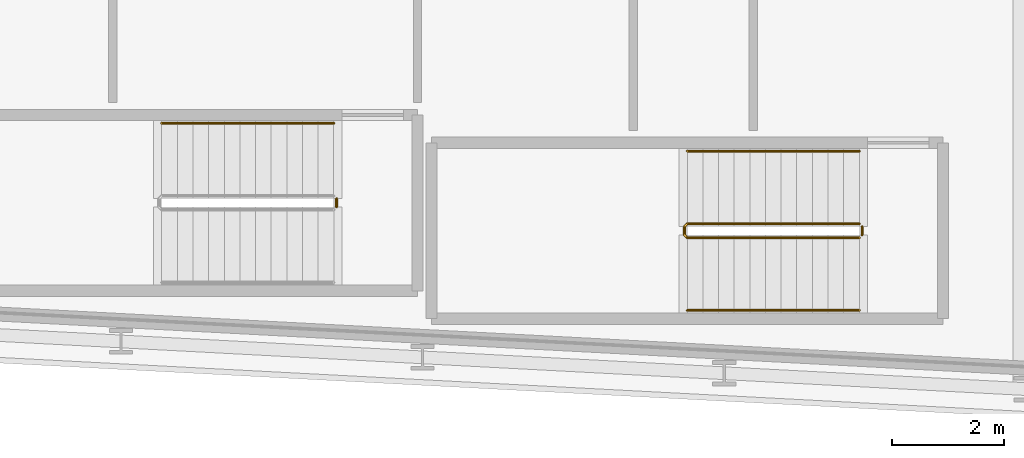
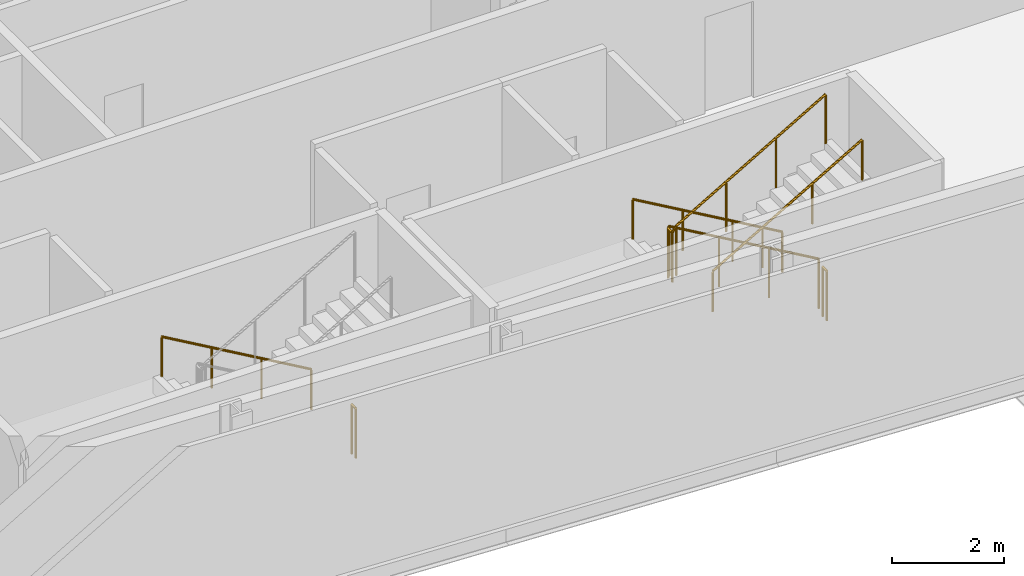
# One storey, part 24 of 28: 6 railings.
"""IFC4 building model written with IfcOpenShell, lengths in metres."""

from ifc_helpers import new_model, si_unit, direction, frame, origin, origin_2d, place, context, subcontext, project, spatial, circle, extrude, material, type_object, element, save


model = new_model("IFC4")

# Units and contexts
model_context = context("Model", 3, precision=1e-05, world=origin(), true_north=direction((0.0, 1.0)))
body_context = subcontext(model_context, "Body", "Model", "MODEL_VIEW")
ifc_project = project(units=[si_unit("LENGTHUNIT", "METRE"), si_unit("AREAUNIT", "SQUARE_METRE"), si_unit("VOLUMEUNIT", "CUBIC_METRE"), si_unit("PLANEANGLEUNIT", "RADIAN"), si_unit("MASSUNIT", "GRAM", prefix="KILO")], contexts=[model_context])

# Site, building, storey
site_placement = place(None, origin())
site = spatial("IfcSite", under=ifc_project, at=site_placement, CompositionType="ELEMENT")
building_placement = place(site_placement, origin())
building = spatial("IfcBuilding", under=site, at=building_placement, Name="Kheshtan School and Residences Tower", CompositionType="ELEMENT")
storey_placement = place(building_placement, frame((0.0, 0.0, 94.10009765625)))
storey = spatial("IfcBuildingStorey", under=building, at=storey_placement, Name="L21", CompositionType="ELEMENT", Elevation=94.10009765625)

# Railings
ifc_material_1 = material(Name="Stainless steel balustrade", Category="steel")
railing_type_1 = type_object("IfcRailingType", Name="Stair guard 1100", PredefinedType="GUARDRAIL", material=ifc_material_1)
railing_1_placement = place(storey_placement, frame((87.820068359375, 23.949951171875, 0.162353515625)))
element("IfcRailing", 1, at=railing_1_placement, inside=storey, type_object=railing_type_1, Name="L21 ST4 stair guard 1", PredefinedType="GUARDRAIL", context=body_context, shape_type="SweptSolid", body=[
    extrude(circle(Radius=0.02392578125, at=origin_2d()), frame((0.0, 0.0, 1.076171875), z_axis=(-0.864890721111, 0.0, 0.501960198159), x_axis=(0.0, -1.0, 0.0)), (0.0, 0.0, 1.0), 3.561279296875),
    extrude(circle(Radius=0.02392578125, at=origin_2d()), frame((-3.080078125, 0.0, 2.86376953125), z_axis=(-0.707106781187, -0.707106781187, 0.0), x_axis=(0.707106781187, -0.707106781187, 0.0)), (0.0, 0.0, 1.0), 0.07080078125),
    extrude(circle(Radius=0.02392578125, at=origin_2d()), frame((-3.130126953125, -0.050048828125, 2.86376953125), z_axis=(0.0, -1.0, 0.0), x_axis=(1.0, 0.0, 0.0)), (0.0, 0.0, 1.0), 0.14990234375),
    extrude(circle(Radius=0.02392578125, at=origin_2d()), frame((-3.130126953125, -0.199951171875, 2.86376953125), z_axis=(0.282583949758, -0.282583949758, 0.916674763849), x_axis=(0.707106781187, 0.707106781187, 0.0)), (0.0, 0.0, 1.0), 0.177001953125),
    extrude(circle(Radius=0.02392578125, at=origin_2d()), frame((-3.080078125, -0.25, 3.02587890625), z_axis=(0.864890721111, 0.0, 0.501960198159), x_axis=(0.0, 1.0, 0.0)), (0.0, 0.0, 1.0), 3.561279296875),
    extrude(circle(Radius=0.02099609375, at=origin_2d()), origin(), (0.0, 0.0, 1.0), 1.052001953125),
    extrude(circle(Radius=0.02099609375, at=origin_2d()), frame((-1.026611328125, 0.0, 0.595947265625)), (0.0, 0.0, 1.0), 1.052001953125),
    extrude(circle(Radius=0.02099609375, at=origin_2d()), frame((-2.053466796875, 0.0, 1.191650390625)), (0.0, 0.0, 1.0), 1.052001953125),
    extrude(circle(Radius=0.02099609375, at=origin_2d()), frame((-3.080078125, 0.0, 1.78759765625)), (0.0, 0.0, 1.0), 1.052001953125),
    extrude(circle(Radius=0.02099609375, at=origin_2d()), frame((-3.130126953125, -0.050048828125, 1.78759765625)), (0.0, 0.0, 1.0), 1.052001953125),
    extrude(circle(Radius=0.02099609375, at=origin_2d()), frame((-3.130126953125, -0.199951171875, 1.78759765625)), (0.0, 0.0, 1.0), 1.052001953125),
    extrude(circle(Radius=0.02099609375, at=origin_2d()), frame((-3.080078125, -0.25, 1.949951171875)), (0.0, 0.0, 1.0), 1.052001953125),
    extrude(circle(Radius=0.02099609375, at=origin_2d()), frame((-2.053466796875, -0.25, 2.5458984375)), (0.0, 0.0, 1.0), 1.052001953125),
    extrude(circle(Radius=0.02099609375, at=origin_2d()), frame((-1.026611328125, -0.25, 3.1416015625)), (0.0, 0.0, 1.0), 1.052001953125),
    extrude(circle(Radius=0.02099609375, at=origin_2d()), frame((0.0, -0.25, 3.737548828125)), (0.0, 0.0, 1.0), 1.052001953125),
])
for number, where, name in (
    (2, (87.8701171875, 23.89990234375, 0.0), "L21 ST4 stair guard 2"),
    (3, (78.4599609375, 24.39990234375, 0.0), "L21 ST5 stair guard 2"),
):
    element("IfcRailing", number, at=place(storey_placement, frame(where)), inside=storey, type_object=railing_type_1, Name=name, PredefinedType="GUARDRAIL", context=body_context, shape_type="SweptSolid", body=[
        extrude(circle(Radius=0.02392578125, at=origin_2d()), frame((0.0, 0.0, 1.076171875), z_axis=(0.0, -1.0, 0.0), x_axis=(1.0, 0.0, 0.0)), (0.0, 0.0, 1.0), 0.14990234375),
        extrude(circle(Radius=0.02099609375, at=origin_2d()), origin(), (0.0, 0.0, 1.0), 1.052001953125),
        extrude(circle(Radius=0.02099609375, at=origin_2d()), frame((0.0, -0.14990234375, 0.0)), (0.0, 0.0, 1.0), 1.052001953125),
    ])
ifc_material_2 = material(Name="Stainless steel handrail", Category="steel")
railing_type_2 = type_object("IfcRailingType", Name="Stair handrail 900", PredefinedType="HANDRAIL", material=ifc_material_2)
railing_2_placement = place(storey_placement, frame((87.820068359375, 25.25, 0.162353515625)))
element("IfcRailing", 4, at=railing_2_placement, inside=storey, type_object=railing_type_2, Name="L21 ST4 stair handrail 1", PredefinedType="HANDRAIL", context=body_context, shape_type="SweptSolid", body=[
    extrude(circle(Radius=0.02392578125, at=origin_2d()), frame((0.0, 0.0, 0.8759765625), z_axis=(-0.864890721111, 0.0, 0.501960198159), x_axis=(0.0, -1.0, 0.0)), (0.0, 0.0, 1.0), 3.561279296875),
    extrude(circle(Radius=0.02099609375, at=origin_2d()), origin(), (0.0, 0.0, 1.0), 0.851806640625),
    extrude(circle(Radius=0.02099609375, at=origin_2d()), frame((-1.026611328125, 0.0, 0.595947265625)), (0.0, 0.0, 1.0), 0.851806640625),
    extrude(circle(Radius=0.02099609375, at=origin_2d()), frame((-2.053466796875, 0.0, 1.191650390625)), (0.0, 0.0, 1.0), 0.851806640625),
    extrude(circle(Radius=0.02099609375, at=origin_2d()), frame((-3.080078125, 0.0, 1.78759765625)), (0.0, 0.0, 1.0), 0.851806640625),
])
railing_3_placement = place(storey_placement, frame((84.739990234375, 22.39990234375, 2.1123046875)))
element("IfcRailing", 5, at=railing_3_placement, inside=storey, type_object=railing_type_2, Name="L21 ST4 stair handrail 2", PredefinedType="HANDRAIL", context=body_context, shape_type="SweptSolid", body=[
    extrude(circle(Radius=0.02392578125, at=origin_2d()), frame((0.0, 0.0, 0.8759765625), z_axis=(0.864890721111, 0.0, 0.501960198159), x_axis=(0.0, 1.0, 0.0)), (0.0, 0.0, 1.0), 3.561279296875),
    extrude(circle(Radius=0.02099609375, at=origin_2d()), origin(), (0.0, 0.0, 1.0), 0.851806640625),
    extrude(circle(Radius=0.02099609375, at=origin_2d()), frame((1.026611328125, 0.0, 0.595947265625)), (0.0, 0.0, 1.0), 0.851806640625),
    extrude(circle(Radius=0.02099609375, at=origin_2d()), frame((2.053466796875, 0.0, 1.191650390625)), (0.0, 0.0, 1.0), 0.851806640625),
    extrude(circle(Radius=0.02099609375, at=origin_2d()), frame((3.080078125, 0.0, 1.78759765625)), (0.0, 0.0, 1.0), 0.851806640625),
])
railing_4_placement = place(storey_placement, frame((78.409912109375, 25.75, 0.162353515625)))
element("IfcRailing", 6, at=railing_4_placement, inside=storey, type_object=railing_type_2, Name="L21 ST5 stair handrail 1", PredefinedType="HANDRAIL", context=body_context, shape_type="SweptSolid", body=[
    extrude(circle(Radius=0.02392578125, at=origin_2d()), frame((0.0, 0.0, 0.8759765625), z_axis=(-0.864873446163, 0.0, 0.501989962173), x_axis=(0.0, -1.0, 0.0)), (0.0, 0.0, 1.0), 3.56103515625),
    extrude(circle(Radius=0.02099609375, at=origin_2d()), origin(), (0.0, 0.0, 1.0), 0.851806640625),
    extrude(circle(Radius=0.02099609375, at=origin_2d()), frame((-1.026611328125, 0.0, 0.595947265625)), (0.0, 0.0, 1.0), 0.851806640625),
    extrude(circle(Radius=0.02099609375, at=origin_2d()), frame((-2.05322265625, 0.0, 1.191650390625)), (0.0, 0.0, 1.0), 0.851806640625),
    extrude(circle(Radius=0.02099609375, at=origin_2d()), frame((-3.079833984375, 0.0, 1.78759765625)), (0.0, 0.0, 1.0), 0.851806640625),
])

save(model, "model.ifc")
